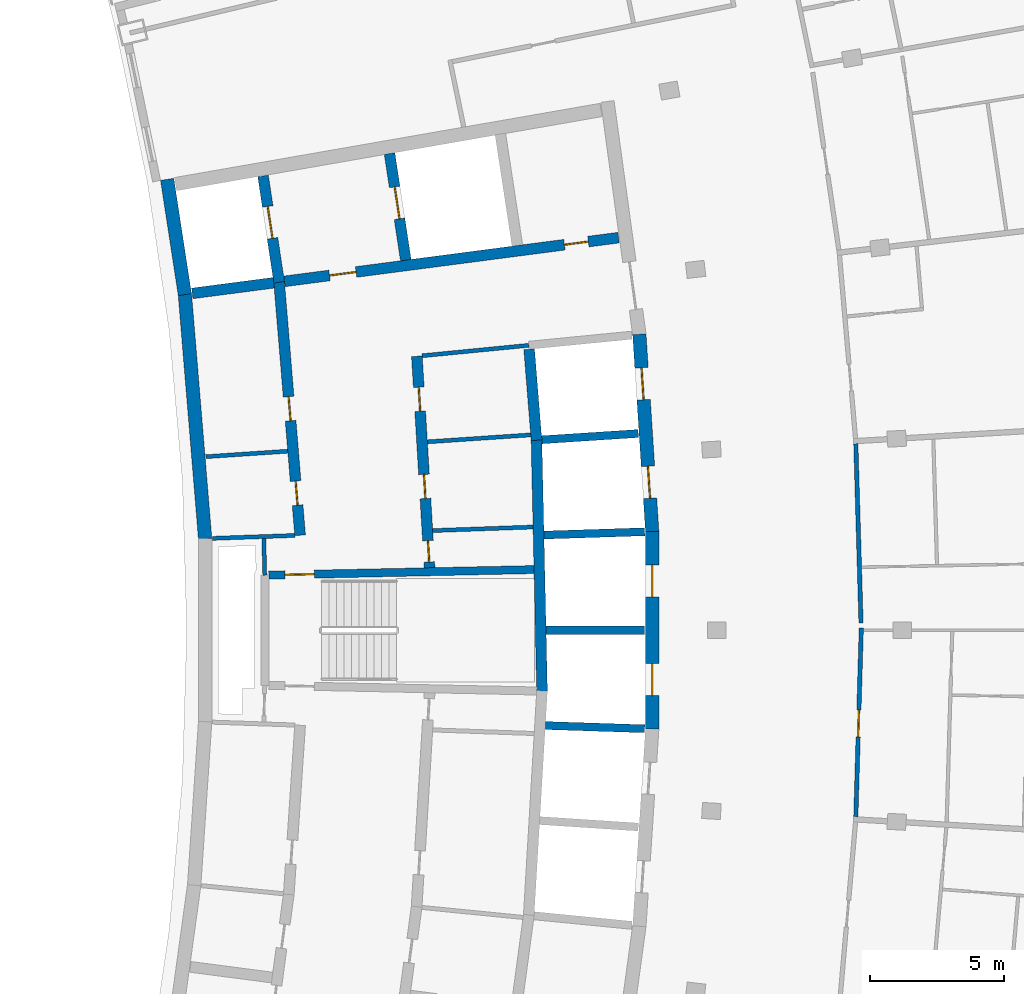
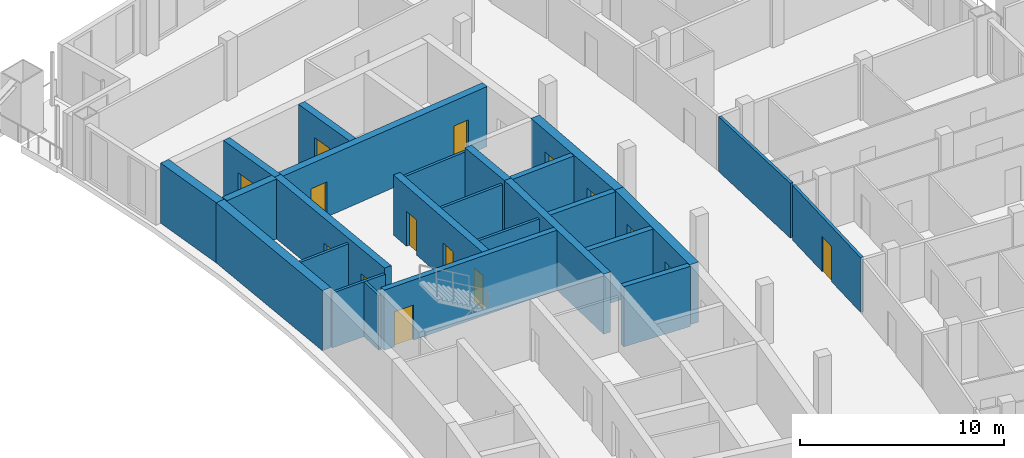
# One storey, part 10 of 17: 25 walls, 15 doors, 15 openings.
"""IFC4 building model written with IfcOpenShell, lengths in metres."""

from ifc_helpers import new_model, si_unit, direction, frame, frame_2d, origin, place, context, subcontext, project, spatial, rectangle, extrude, material, layer, layer_set, type_object, element, fill, save


model = new_model("IFC4")

# Units and contexts
model_context = context("Model", 3, precision=1e-05, world=origin(), true_north=direction((0.0, 1.0)))
body_context = subcontext(model_context, "Body", "Model", "MODEL_VIEW")
ifc_project = project(units=[si_unit("LENGTHUNIT", "METRE"), si_unit("AREAUNIT", "SQUARE_METRE"), si_unit("VOLUMEUNIT", "CUBIC_METRE"), si_unit("PLANEANGLEUNIT", "RADIAN"), si_unit("MASSUNIT", "GRAM", prefix="KILO")], contexts=[model_context])

# Site, building, storey
site_placement = place(None, origin())
site = spatial("IfcSite", under=ifc_project, at=site_placement, CompositionType="ELEMENT")
building_placement = place(site_placement, origin())
building = spatial("IfcBuilding", under=site, at=building_placement, Name="Alderwake Tower", CompositionType="ELEMENT")
storey_placement = place(building_placement, frame((0.0, 0.0, 260.0)))
storey = spatial("IfcBuildingStorey", under=building, at=storey_placement, Name="L64", CompositionType="ELEMENT", Elevation=260.0)

# Walls
ifc_material_1 = material(Name="Gypsum shaft wall system, rated")
ifc_layer_1 = layer(ifc_material_1, 0.14990234375)
ifc_layer_set_1 = layer_set([ifc_layer_1], Name="Core riser partition 150")
wall_type_1 = type_object("IfcWallType", Name="Core riser partition 150", PredefinedType="PARTITIONING", material=ifc_layer_set_1)
wall_1_placement = place(storey_placement, frame((25.191162109375, 64.723388671875, 0.0), z_axis=(0.0, 0.0, 1.0), x_axis=(0.999373256208, 0.035399078746, 0.0)))
element("IfcWall", 1, at=wall_1_placement, inside=storey, type_object=wall_type_1, Name="CW/L64/PR+37_+86", PredefinedType="PARTITIONING", context=body_context, shape_type="SweptSolid", body=[
    extrude(rectangle(XDim=3.751953125, YDim=0.14990234375, at=frame_2d((1.8759765625, 0.0))), origin(), (0.0, 0.0, 1.0), 3.280029296875),
])
ifc_material_2 = material(Name="Gypsum shaft wall system, rated")
ifc_layer_2 = layer(ifc_material_2, 0.14990234375)
ifc_layer_set_2 = layer_set([ifc_layer_2], Name="Core room partition 150")
wall_type_2 = type_object("IfcWallType", Name="Core room partition 150", PredefinedType="PARTITIONING", material=ifc_layer_set_2)
wall_2_placement = place(storey_placement, frame((18.918701171875, 63.05517578125, 0.0), z_axis=(0.0, 0.0, 1.0), x_axis=(-0.027791791559, 0.99961373356, 0.0)))
element("IfcWall", 2, at=wall_2_placement, inside=storey, type_object=wall_type_2, Name="CW/L64/PA+24_+22", PredefinedType="PARTITIONING", context=body_context, shape_type="SweptSolid", body=[
    extrude(rectangle(XDim=1.370361328125, YDim=0.14990234375, at=frame_2d((0.68505859375, 0.0))), origin(), (0.0, 0.0, 1.0), 3.280029296875),
])
wall_3_placement = place(storey_placement, frame((16.969482421875, 64.4326171875, 0.0), z_axis=(0.0, 0.0, 1.0), x_axis=(0.999376258731, 0.035314210814, 0.0)))
element("IfcWall", 3, at=wall_3_placement, inside=storey, type_object=wall_type_2, Name="CW/L64/PR+37_+0", PredefinedType="PARTITIONING", context=body_context, shape_type="SweptSolid", body=[
    extrude(rectangle(XDim=3.069580078125, YDim=0.14990234375, at=frame_2d((1.53466796875, 0.0))), origin(), (0.0, 0.0, 1.0), 3.280029296875),
])
wall_4_placement = place(storey_placement, frame((16.716552734375, 67.48388671875, 0.0), z_axis=(0.0, 0.0, 1.0), x_axis=(0.997761137574, 0.066878339895, 0.0)))
element("IfcWall", 4, at=wall_4_placement, inside=storey, type_object=wall_type_2, Name="CW/L64/PR+70_+0", PredefinedType="PARTITIONING", context=body_context, shape_type="SweptSolid", body=[
    extrude(rectangle(XDim=3.06640625, YDim=0.14990234375, at=frame_2d((1.533203125, 0.0))), origin(), (0.0, 0.0, 1.0), 3.280029296875),
])
wall_5_placement = place(storey_placement, frame((24.992431640625, 68.038818359375, 0.0), z_axis=(0.0, 0.0, 1.0), x_axis=(0.997760236964, 0.066891774789, 0.0)))
element("IfcWall", 5, at=wall_5_placement, inside=storey, type_object=wall_type_2, Name="CW/L64/PR+70_+86", PredefinedType="PARTITIONING", context=body_context, shape_type="SweptSolid", body=[
    extrude(rectangle(XDim=3.86865234375, YDim=0.14990234375, at=frame_2d((1.934326171875, 0.0))), origin(), (0.0, 0.0, 1.0), 3.280029296875),
])
wall_6_placement = place(storey_placement, frame((24.799560546875, 71.2548828125, 0.0), z_axis=(0.0, 0.0, 1.0), x_axis=(0.995250000627, 0.097352125046, 0.0)))
element("IfcWall", 6, at=wall_6_placement, inside=storey, type_object=wall_type_2, Name="CW/L64/PR+102_+86", PredefinedType="PARTITIONING", context=body_context, shape_type="SweptSolid", body=[
    extrude(rectangle(XDim=4.0, YDim=0.14990234375, at=frame_2d((2.0, 0.0))), origin(), (0.0, 0.0, 1.0), 3.280029296875),
])
ifc_material_3 = material(Name="Concrete C70/85", Category="concrete")
ifc_layer_3 = layer(ifc_material_3, 0.5)
ifc_layer_set_3 = layer_set([ifc_layer_3], Name="Core wall outer 500 C70-85")
wall_type_3 = type_object("IfcWallType", Name="Core wall outer 500 C70-85", PredefinedType="SHEAR", material=ifc_layer_set_3)
wall_7_placement = place(storey_placement, frame((16.690185546875, 64.41162109375, 0.0), z_axis=(0.0, 0.0, 1.0), x_axis=(-0.082611702064, 0.996581811334, 0.0)))
element("IfcWall", 7, at=wall_7_placement, inside=storey, type_object=wall_type_3, Name="Core wall CW.026", PredefinedType="SHEAR", context=body_context, shape_type="SweptSolid", body=[
    extrude(rectangle(XDim=9.176025390625, YDim=0.5, at=frame_2d((4.587890625, 0.0))), origin(), (0.0, 0.0, 1.0), 3.60009765625),
])
wall_8_placement = place(storey_placement, frame((15.934326171875, 73.5380859375, 0.0), z_axis=(0.0, 0.0, 1.0), x_axis=(-0.151947718368, 0.988388532351, 0.0)))
element("IfcWall", 8, at=wall_8_placement, inside=storey, type_object=wall_type_3, Name="Core wall CW.025", PredefinedType="SHEAR", context=body_context, shape_type="SweptSolid", body=[
    extrude(rectangle(XDim=4.357421875, YDim=0.5, at=frame_2d((2.1787109375, 0.0))), origin(), (0.0, 0.0, 1.0), 3.60009765625),
])

# Wall, openings, doors
wall_9_placement = place(storey_placement, frame((33.389892578125, 57.30322265625, 0.0), z_axis=(0.0, 0.0, 1.0), x_axis=(0.0, 1.0, 0.0)))
wall_9 = element("IfcWall", 9, at=wall_9_placement, inside=storey, type_object=wall_type_3, Name="Core wall CW.023", PredefinedType="SHEAR", context=body_context, shape_type="SweptSolid", body=[
    extrude(rectangle(XDim=7.3935546875, YDim=0.5, at=frame_2d((3.69677734375, 0.0))), origin(), (0.0, 0.0, 1.0), 3.60009765625),
])
opening_1_placement = place(wall_9_placement, frame((1.25244140625, 0.0, 0.0)))
opening_1 = element("IfcOpeningElement", 10, at=opening_1_placement, cuts=wall_9, Name="Opening LD-HP3", PredefinedType="OPENING", context=body_context, shape_type="SweptSolid", body=[
    extrude(rectangle(XDim=1.199951171875, YDim=2.300048828125, at=frame_2d((0.60009765625, 1.14990234375))), frame((0.0, 0.260009765625, 0.0), z_axis=(0.0, -1.0, 0.0), x_axis=(1.0, 0.0, 0.0)), (0.0, 0.0, 1.0), 0.52001953125),
])
opening_2_placement = place(wall_9_placement, frame((4.94091796875, 0.0, 0.0)))
opening_2 = element("IfcOpeningElement", 11, at=opening_2_placement, cuts=wall_9, Name="Opening LD-HP4", PredefinedType="OPENING", context=body_context, shape_type="SweptSolid", body=[
    extrude(rectangle(XDim=1.199951171875, YDim=2.300048828125, at=frame_2d((0.60009765625, 1.14990234375))), frame((0.0, 0.260009765625, 0.0), z_axis=(0.0, -1.0, 0.0), x_axis=(1.0, 0.0, 0.0)), (0.0, 0.0, 1.0), 0.52001953125),
])
ifc_material_4 = material(Name="Stainless steel sliding leaf", Category="steel")
door_type_1 = type_object("IfcDoorType", Name="Lift landing door 1200", OperationType="SLIDING_TO_LEFT", PredefinedType="DOOR", material=ifc_material_4)
door_1_placement = place(opening_1_placement, origin())
door_1 = element("IfcDoor", 12, at=door_1_placement, inside=storey, type_object=door_type_1, Name="Lift landing door HP3", OperationType="SLIDING_TO_LEFT", OverallHeight=2.300048828125, OverallWidth=1.199951171875, PredefinedType="DOOR", context=body_context, shape_type="SweptSolid", body=[
    extrude(rectangle(XDim=1.199951171875, YDim=2.300048828125, at=frame_2d((0.60009765625, 1.14990234375))), frame((0.0, 0.02490234375, 0.0), z_axis=(0.0, -1.0, 0.0), x_axis=(1.0, 0.0, 0.0)), (0.0, 0.0, 1.0), 0.050048828125),
])
fill(opening_1, door_1)
door_2_placement = place(opening_2_placement, origin())
door_2 = element("IfcDoor", 13, at=door_2_placement, inside=storey, type_object=door_type_1, Name="Lift landing door HP4", OperationType="SLIDING_TO_LEFT", OverallHeight=2.300048828125, OverallWidth=1.199951171875, PredefinedType="DOOR", context=body_context, shape_type="SweptSolid", body=[
    extrude(rectangle(XDim=1.199951171875, YDim=2.300048828125, at=frame_2d((0.60009765625, 1.14990234375))), frame((0.0, 0.02490234375, 0.0), z_axis=(0.0, -1.0, 0.0), x_axis=(1.0, 0.0, 0.0)), (0.0, 0.0, 1.0), 0.050048828125),
])
fill(opening_2, door_2)

wall_10_placement = place(storey_placement, frame((33.390625, 64.679443359375, 0.0), z_axis=(0.0, 0.0, 1.0), x_axis=(-0.064980500916, 0.997886533881, 0.0)))
wall_10 = element("IfcWall", 14, at=wall_10_placement, inside=storey, type_object=wall_type_3, Name="Core wall CW.020", PredefinedType="SHEAR", context=body_context, shape_type="SweptSolid", body=[
    extrude(rectangle(XDim=7.39404296875, YDim=0.5, at=frame_2d((3.697021484375, 0.0))), origin(), (0.0, 0.0, 1.0), 3.60009765625),
])
opening_3_placement = place(wall_10_placement, frame((1.25244140625, 0.0, 0.0)))
opening_3 = element("IfcOpeningElement", 15, at=opening_3_placement, cuts=wall_10, Name="Opening LD-HP5", PredefinedType="OPENING", context=body_context, shape_type="SweptSolid", body=[
    extrude(rectangle(XDim=1.199951171875, YDim=2.300048828125, at=frame_2d((0.60009765625, 1.14990234375))), frame((0.0, 0.260009765625, 0.0), z_axis=(0.0, -1.0, 0.0), x_axis=(1.0, 0.0, 0.0)), (0.0, 0.0, 1.0), 0.52001953125),
])
opening_4_placement = place(wall_10_placement, frame((4.94091796875, 0.0, 0.0)))
opening_4 = element("IfcOpeningElement", 16, at=opening_4_placement, cuts=wall_10, Name="Opening LD-HP6", PredefinedType="OPENING", context=body_context, shape_type="SweptSolid", body=[
    extrude(rectangle(XDim=1.199951171875, YDim=2.300048828125, at=frame_2d((0.60009765625, 1.14990234375))), frame((0.0, 0.260009765625, 0.0), z_axis=(0.0, -1.0, 0.0), x_axis=(1.0, 0.0, 0.0)), (0.0, 0.0, 1.0), 0.52001953125),
])
door_3_placement = place(opening_3_placement, origin())
door_3 = element("IfcDoor", 17, at=door_3_placement, inside=storey, type_object=door_type_1, Name="Lift landing door HP5", OperationType="SLIDING_TO_LEFT", OverallHeight=2.300048828125, OverallWidth=1.199951171875, PredefinedType="DOOR", context=body_context, shape_type="SweptSolid", body=[
    extrude(rectangle(XDim=1.199951171875, YDim=2.300048828125, at=frame_2d((0.60009765625, 1.14990234375))), frame((0.0, 0.02490234375, 0.0), z_axis=(0.0, -1.0, 0.0), x_axis=(1.0, 0.0, 0.0)), (0.0, 0.0, 1.0), 0.050048828125),
])
fill(opening_3, door_3)
door_4_placement = place(opening_4_placement, origin())
door_4 = element("IfcDoor", 18, at=door_4_placement, inside=storey, type_object=door_type_1, Name="Lift landing door HP6", OperationType="SLIDING_TO_LEFT", OverallHeight=2.300048828125, OverallWidth=1.199951171875, PredefinedType="DOOR", context=body_context, shape_type="SweptSolid", body=[
    extrude(rectangle(XDim=1.199951171875, YDim=2.300048828125, at=frame_2d((0.60009765625, 1.14990234375))), frame((0.0, 0.02490234375, 0.0), z_axis=(0.0, -1.0, 0.0), x_axis=(1.0, 0.0, 0.0)), (0.0, 0.0, 1.0), 0.050048828125),
])
fill(opening_4, door_4)

# Walls
ifc_material_5 = material(Name="Concrete C70/85", Category="concrete")
ifc_layer_4 = layer(ifc_material_5, 0.300048828125)
ifc_layer_set_4 = layer_set([ifc_layer_4], Name="Core wall shaft 300 C70-85")
wall_type_4 = type_object("IfcWallType", Name="Core wall shaft 300 C70-85", PredefinedType="SHEAR", material=ifc_layer_set_4)
wall_11_placement = place(storey_placement, frame((29.400634765625, 57.441650390625, 0.0), z_axis=(0.0, 0.0, 1.0), x_axis=(0.999471876479, -0.032495663221, 0.0)))
element("IfcWall", 19, at=wall_11_placement, inside=storey, type_object=wall_type_4, Name="Core wall CW.075", PredefinedType="SHEAR", context=body_context, shape_type="SweptSolid", body=[
    extrude(rectangle(XDim=3.71142578125, YDim=0.300048828125, at=frame_2d((1.855712890625, 0.0))), origin(), (0.0, 0.0, 1.0), 3.60009765625),
])
wall_12_placement = place(storey_placement, frame((29.426025390625, 61.0, 0.0), z_axis=(0.0, 0.0, 1.0), x_axis=(1.0, 0.0, 0.0)))
element("IfcWall", 20, at=wall_12_placement, inside=storey, type_object=wall_type_4, Name="Core wall CW.048", PredefinedType="SHEAR", context=body_context, shape_type="SweptSolid", body=[
    extrude(rectangle(XDim=3.68408203125, YDim=0.300048828125, at=frame_2d((1.842041015625, 0.0))), origin(), (0.0, 0.0, 1.0), 3.60009765625),
])
wall_13_placement = place(storey_placement, frame((29.347412109375, 64.556396484375, 0.0), z_axis=(0.0, 0.0, 1.0), x_axis=(0.99946995342, 0.032554757112, 0.0)))
element("IfcWall", 21, at=wall_13_placement, inside=storey, type_object=wall_type_4, Name="Core wall CW.058", PredefinedType="SHEAR", context=body_context, shape_type="SweptSolid", body=[
    extrude(rectangle(XDim=3.7646484375, YDim=0.300048828125, at=frame_2d((1.88232421875, 0.0))), origin(), (0.0, 0.0, 1.0), 3.60009765625),
])
wall_14_placement = place(storey_placement, frame((29.268798828125, 68.115478515625, 0.0), z_axis=(0.0, 0.0, 1.0), x_axis=(0.997885735437, 0.064992761217, 0.0)))
element("IfcWall", 22, at=wall_14_placement, inside=storey, type_object=wall_type_4, Name="Core wall CW.061", PredefinedType="SHEAR", context=body_context, shape_type="SweptSolid", body=[
    extrude(rectangle(XDim=3.60986328125, YDim=0.300048828125, at=frame_2d((1.804931640625, 0.0))), origin(), (0.0, 0.0, 1.0), 3.60009765625),
])

# Wall, openings, doors
ifc_material_6 = material(Name="Concrete C70/85", Category="concrete")
ifc_layer_5 = layer(ifc_material_6, 0.39990234375)
ifc_layer_set_5 = layer_set([ifc_layer_5], Name="Core wall spine 400 C70-85")
wall_type_5 = type_object("IfcWallType", Name="Core wall spine 400 C70-85", PredefinedType="SHEAR", material=ifc_layer_set_5)
wall_15_placement = place(storey_placement, frame((19.452392578125, 74.014892578125, 0.0), z_axis=(0.0, 0.0, 1.0), x_axis=(0.082628585297, -0.996580411654, 0.0)))
wall_15 = element("IfcWall", 23, at=wall_15_placement, inside=storey, type_object=wall_type_5, Name="Core wall CW.031", PredefinedType="SHEAR", context=body_context, shape_type="SweptSolid", body=[
    extrude(rectangle(XDim=9.499267578125, YDim=0.39990234375, at=frame_2d((4.74951171875, 0.0))), origin(), (0.0, 0.0, 1.0), 3.60009765625),
])
opening_5_placement = place(wall_15_placement, frame((7.468017578125, 0.0, 0.0)))
opening_5 = element("IfcOpeningElement", 24, at=opening_5_placement, cuts=wall_15, Name="Opening C053", PredefinedType="OPENING", context=body_context, shape_type="SweptSolid", body=[
    extrude(rectangle(XDim=0.89990234375, YDim=2.10009765625, at=frame_2d((0.449951171875, 1.050048828125))), frame((0.0, 0.2099609375, 0.0), z_axis=(0.0, -1.0, 0.0), x_axis=(1.0, 0.0, 0.0)), (0.0, 0.0, 1.0), 0.419921875),
])
opening_6_placement = place(wall_15_placement, frame((4.30322265625, 0.0, 0.0)))
opening_6 = element("IfcOpeningElement", 25, at=opening_6_placement, cuts=wall_15, Name="Opening C054", PredefinedType="OPENING", context=body_context, shape_type="SweptSolid", body=[
    extrude(rectangle(XDim=0.89990234375, YDim=2.10009765625, at=frame_2d((0.449951171875, 1.050048828125))), frame((0.0, 0.2099609375, 0.0), z_axis=(0.0, -1.0, 0.0), x_axis=(1.0, 0.0, 0.0)), (0.0, 0.0, 1.0), 0.419921875),
])
ifc_material_7 = material(Name="Painted steel leaf", Category="steel")
door_type_2 = type_object("IfcDoorType", Name="Core room door 900", OperationType="SINGLE_SWING_LEFT", PredefinedType="DOOR", material=ifc_material_7)
door_5_placement = place(opening_5_placement, origin())
door_5 = element("IfcDoor", 26, at=door_5_placement, inside=storey, type_object=door_type_2, Name="Room door", OperationType="SINGLE_SWING_LEFT", OverallHeight=2.10009765625, OverallWidth=0.89990234375, PredefinedType="DOOR", context=body_context, shape_type="SweptSolid", body=[
    extrude(rectangle(XDim=0.89990234375, YDim=2.10009765625, at=frame_2d((0.449951171875, 1.050048828125))), frame((0.0, 0.02490234375, 0.0), z_axis=(0.0, -1.0, 0.0), x_axis=(1.0, 0.0, 0.0)), (0.0, 0.0, 1.0), 0.050048828125),
])
fill(opening_5, door_5)
door_6_placement = place(opening_6_placement, origin())
door_6 = element("IfcDoor", 27, at=door_6_placement, inside=storey, type_object=door_type_2, Name="Room door", OperationType="SINGLE_SWING_RIGHT", OverallHeight=2.10009765625, OverallWidth=0.89990234375, PredefinedType="DOOR", context=body_context, shape_type="SweptSolid", body=[
    extrude(rectangle(XDim=0.89990234375, YDim=2.10009765625, at=frame_2d((0.449951171875, 1.050048828125))), frame((0.0, 0.02490234375, 0.0), z_axis=(0.0, -1.0, 0.0), x_axis=(1.0, 0.0, 0.0)), (0.0, 0.0, 1.0), 0.050048828125),
])
fill(opening_6, door_6)

# Wall, opening, door
wall_16_placement = place(storey_placement, frame((19.4541015625, 74.00048828125, 0.0), z_axis=(0.0, 0.0, 1.0), x_axis=(-0.149461330246, 0.988767571657, 0.0)))
wall_16 = element("IfcWall", 28, at=wall_16_placement, inside=storey, type_object=wall_type_5, Name="Core wall CW.030", PredefinedType="SHEAR", context=body_context, shape_type="SweptSolid", body=[
    extrude(rectangle(XDim=4.01513671875, YDim=0.39990234375, at=frame_2d((2.007568359375, 0.0))), origin(), (0.0, 0.0, 1.0), 3.60009765625),
])
opening_7_placement = place(wall_16_placement, frame((1.6611328125, 0.0, 0.0)))
opening_7 = element("IfcOpeningElement", 29, at=opening_7_placement, cuts=wall_16, Name="Opening LD-FF1", PredefinedType="OPENING", context=body_context, shape_type="SweptSolid", body=[
    extrude(rectangle(XDim=1.199951171875, YDim=2.300048828125, at=frame_2d((0.60009765625, 1.14990234375))), frame((0.0, 0.2099609375, 0.0), z_axis=(0.0, -1.0, 0.0), x_axis=(1.0, 0.0, 0.0)), (0.0, 0.0, 1.0), 0.419921875),
])
door_7_placement = place(opening_7_placement, origin())
door_7 = element("IfcDoor", 30, at=door_7_placement, inside=storey, type_object=door_type_1, Name="Lift landing door FF1", OperationType="SLIDING_TO_LEFT", OverallHeight=2.300048828125, OverallWidth=1.199951171875, PredefinedType="DOOR", context=body_context, shape_type="SweptSolid", body=[
    extrude(rectangle(XDim=1.199951171875, YDim=2.300048828125, at=frame_2d((0.60009765625, 1.14990234375))), frame((0.0, 0.02490234375, 0.0), z_axis=(0.0, -1.0, 0.0), x_axis=(1.0, 0.0, 0.0)), (0.0, 0.0, 1.0), 0.050048828125),
])
fill(opening_7, door_7)

# Wall, openings, doors
wall_17_placement = place(storey_placement, frame((25.073974609375, 63.335693359375, 0.0), z_axis=(0.0, 0.0, 1.0), x_axis=(-0.059848641072, 0.998207463487, 0.0)))
wall_17 = element("IfcWall", 31, at=wall_17_placement, inside=storey, type_object=wall_type_5, Name="Core wall CW.045", PredefinedType="SHEAR", context=body_context, shape_type="SweptSolid", body=[
    extrude(rectangle(XDim=7.913818359375, YDim=0.39990234375, at=frame_2d((3.95703125, 0.0))), origin(), (0.0, 0.0, 1.0), 3.60009765625),
])
opening_8_placement = place(wall_17_placement, frame((0.216064453125, 0.0, 0.0)))
opening_8 = element("IfcOpeningElement", 32, at=opening_8_placement, cuts=wall_17, Name="Opening C005", PredefinedType="OPENING", context=body_context, shape_type="SweptSolid", body=[
    extrude(rectangle(XDim=0.800048828125, YDim=2.0, at=frame_2d((0.39990234375, 1.0))), frame((0.0, 0.2099609375, 0.0), z_axis=(0.0, -1.0, 0.0), x_axis=(1.0, 0.0, 0.0)), (0.0, 0.0, 1.0), 0.419921875),
])
opening_9_placement = place(wall_17_placement, frame((5.856201171875, 0.0, 0.0)))
opening_9 = element("IfcOpeningElement", 33, at=opening_9_placement, cuts=wall_17, Name="Opening C023", PredefinedType="OPENING", context=body_context, shape_type="SweptSolid", body=[
    extrude(rectangle(XDim=0.89990234375, YDim=2.10009765625, at=frame_2d((0.449951171875, 1.050048828125))), frame((0.0, 0.2099609375, 0.0), z_axis=(0.0, -1.0, 0.0), x_axis=(1.0, 0.0, 0.0)), (0.0, 0.0, 1.0), 0.419921875),
])
opening_10_placement = place(wall_17_placement, frame((2.590087890625, 0.0, 0.0)))
opening_10 = element("IfcOpeningElement", 34, at=opening_10_placement, cuts=wall_17, Name="Opening C059", PredefinedType="OPENING", context=body_context, shape_type="SweptSolid", body=[
    extrude(rectangle(XDim=0.89990234375, YDim=2.10009765625, at=frame_2d((0.449951171875, 1.050048828125))), frame((0.0, 0.2099609375, 0.0), z_axis=(0.0, -1.0, 0.0), x_axis=(1.0, 0.0, 0.0)), (0.0, 0.0, 1.0), 0.419921875),
])
door_8_placement = place(opening_9_placement, origin())
door_8 = element("IfcDoor", 35, at=door_8_placement, inside=storey, type_object=door_type_2, Name="Room door", OperationType="SINGLE_SWING_RIGHT", OverallHeight=2.10009765625, OverallWidth=0.89990234375, PredefinedType="DOOR", context=body_context, shape_type="SweptSolid", body=[
    extrude(rectangle(XDim=0.89990234375, YDim=2.10009765625, at=frame_2d((0.449951171875, 1.050048828125))), frame((0.0, 0.02490234375, 0.0), z_axis=(0.0, -1.0, 0.0), x_axis=(1.0, 0.0, 0.0)), (0.0, 0.0, 1.0), 0.050048828125),
])
fill(opening_9, door_8)
door_9_placement = place(opening_10_placement, origin())
door_9 = element("IfcDoor", 36, at=door_9_placement, inside=storey, type_object=door_type_2, Name="Room door", OperationType="SINGLE_SWING_LEFT", OverallHeight=2.10009765625, OverallWidth=0.89990234375, PredefinedType="DOOR", context=body_context, shape_type="SweptSolid", body=[
    extrude(rectangle(XDim=0.89990234375, YDim=2.10009765625, at=frame_2d((0.449951171875, 1.050048828125))), frame((0.0, 0.02490234375, 0.0), z_axis=(0.0, -1.0, 0.0), x_axis=(1.0, 0.0, 0.0)), (0.0, 0.0, 1.0), 0.050048828125),
])
fill(opening_10, door_9)
ifc_material_8 = material(Name="Painted steel leaf, rated", Category="steel")
door_type_3 = type_object("IfcDoorType", Name="Riser access door 800", OperationType="SINGLE_SWING_LEFT", PredefinedType="DOOR", material=ifc_material_8)
door_10_placement = place(opening_8_placement, origin())
door_10 = element("IfcDoor", 37, at=door_10_placement, inside=storey, type_object=door_type_3, Name="Riser access door", OperationType="SINGLE_SWING_LEFT", OverallHeight=2.0, OverallWidth=0.800048828125, PredefinedType="DOOR", context=body_context, shape_type="SweptSolid", body=[
    extrude(rectangle(XDim=0.800048828125, YDim=2.0, at=frame_2d((0.39990234375, 1.0))), frame((0.0, 0.02490234375, 0.0), z_axis=(0.0, -1.0, 0.0), x_axis=(1.0, 0.0, 0.0)), (0.0, 0.0, 1.0), 0.050048828125),
])
fill(opening_8, door_10)

# Wall, opening, door
wall_18_placement = place(storey_placement, frame((24.186279296875, 74.82861328125, 0.0), z_axis=(0.0, 0.0, 1.0), x_axis=(-0.150547717109, 0.988602743711, 0.0)))
wall_18 = element("IfcWall", 38, at=wall_18_placement, inside=storey, type_object=wall_type_5, Name="Core wall CW.044", PredefinedType="SHEAR", context=body_context, shape_type="SweptSolid", body=[
    extrude(rectangle(XDim=4.0234375, YDim=0.39990234375, at=frame_2d((2.01171875, 0.0))), origin(), (0.0, 0.0, 1.0), 3.60009765625),
])
opening_11_placement = place(wall_18_placement, frame((1.561767578125, 0.0, 0.0)))
opening_11 = element("IfcOpeningElement", 39, at=opening_11_placement, cuts=wall_18, Name="Opening LD-FF2", PredefinedType="OPENING", context=body_context, shape_type="SweptSolid", body=[
    extrude(rectangle(XDim=1.199951171875, YDim=2.300048828125, at=frame_2d((0.60009765625, 1.14990234375))), frame((0.0, 0.2099609375, 0.0), z_axis=(0.0, -1.0, 0.0), x_axis=(1.0, 0.0, 0.0)), (0.0, 0.0, 1.0), 0.419921875),
])
door_11_placement = place(opening_11_placement, origin())
door_11 = element("IfcDoor", 40, at=door_11_placement, inside=storey, type_object=door_type_1, Name="Lift landing door FF2", OperationType="SLIDING_TO_LEFT", OverallHeight=2.300048828125, OverallWidth=1.199951171875, PredefinedType="DOOR", context=body_context, shape_type="SweptSolid", body=[
    extrude(rectangle(XDim=1.199951171875, YDim=2.300048828125, at=frame_2d((0.60009765625, 1.14990234375))), frame((0.0, 0.02490234375, 0.0), z_axis=(0.0, -1.0, 0.0), x_axis=(1.0, 0.0, 0.0)), (0.0, 0.0, 1.0), 0.050048828125),
])
fill(opening_11, door_11)

# Walls
wall_19_placement = place(storey_placement, frame((29.276611328125, 58.71826171875, 0.0), z_axis=(0.0, 0.0, 1.0), x_axis=(-0.022119171053, 0.999755341207, 0.0)))
element("IfcWall", 41, at=wall_19_placement, inside=storey, type_object=wall_type_5, Name="Core wall CW.007", PredefinedType="SHEAR", context=body_context, shape_type="SweptSolid", body=[
    extrude(rectangle(XDim=9.392822265625, YDim=0.39990234375, at=frame_2d((4.6962890625, 0.0))), origin(), (0.0, 0.0, 1.0), 3.60009765625),
])
wall_20_placement = place(storey_placement, frame((29.069580078125, 68.09619140625, 0.0), z_axis=(0.0, 0.0, 1.0), x_axis=(-0.080544811251, 0.996750988653, 0.0)))
element("IfcWall", 42, at=wall_20_placement, inside=storey, type_object=wall_type_5, Name="Core wall CW.003", PredefinedType="SHEAR", context=body_context, shape_type="SweptSolid", body=[
    extrude(rectangle(XDim=3.409912109375, YDim=0.39990234375, at=frame_2d((1.705078125, 0.0))), origin(), (0.0, 0.0, 1.0), 3.60009765625),
])
wall_21_placement = place(storey_placement, frame((16.210693359375, 73.583740234375, 0.0), z_axis=(0.0, 0.0, 1.0), x_axis=(0.991560893257, 0.129641794819, 0.0)))
element("IfcWall", 43, at=wall_21_placement, inside=storey, type_object=wall_type_5, Name="Core wall CW.051", PredefinedType="SHEAR", context=body_context, shape_type="SweptSolid", body=[
    extrude(rectangle(XDim=3.069580078125, YDim=0.39990234375, at=frame_2d((1.53466796875, 0.0))), origin(), (0.0, 0.0, 1.0), 3.60009765625),
])

# Wall, openings, doors
wall_22_placement = place(storey_placement, frame((32.132080078125, 75.666015625, 0.0), z_axis=(0.0, 0.0, 1.0), x_axis=(-0.991555139901, -0.129685791576, 0.0)))
wall_22 = element("IfcWall", 44, at=wall_22_placement, inside=storey, type_object=wall_type_5, Name="Core wall CW.052", PredefinedType="SHEAR", context=body_context, shape_type="SweptSolid", body=[
    extrude(rectangle(XDim=12.586669921875, YDim=0.39990234375, at=frame_2d((6.29345703125, 0.0))), origin(), (0.0, 0.0, 1.0), 3.60009765625),
])
opening_12_placement = place(wall_22_placement, frame((9.88720703125, 0.0, 0.0)))
opening_12 = element("IfcOpeningElement", 45, at=opening_12_placement, cuts=wall_22, Name="Opening C002", PredefinedType="OPENING", context=body_context, shape_type="SweptSolid", body=[
    extrude(rectangle(XDim=1.0, YDim=2.10009765625, at=frame_2d((0.5, 1.050048828125))), frame((0.0, 0.2099609375, 0.0), z_axis=(0.0, -1.0, 0.0), x_axis=(1.0, 0.0, 0.0)), (0.0, 0.0, 1.0), 0.419921875),
])
opening_13_placement = place(wall_22_placement, frame((1.13720703125, 0.0, 0.0)))
opening_13 = element("IfcOpeningElement", 46, at=opening_13_placement, cuts=wall_22, Name="Opening C020", PredefinedType="OPENING", context=body_context, shape_type="SweptSolid", body=[
    extrude(rectangle(XDim=0.89990234375, YDim=2.10009765625, at=frame_2d((0.449951171875, 1.050048828125))), frame((0.0, 0.2099609375, 0.0), z_axis=(0.0, -1.0, 0.0), x_axis=(1.0, 0.0, 0.0)), (0.0, 0.0, 1.0), 0.419921875),
])
door_12_placement = place(opening_13_placement, origin())
door_12 = element("IfcDoor", 47, at=door_12_placement, inside=storey, type_object=door_type_2, Name="Room door", OperationType="SINGLE_SWING_LEFT", OverallHeight=2.10009765625, OverallWidth=0.89990234375, PredefinedType="DOOR", context=body_context, shape_type="SweptSolid", body=[
    extrude(rectangle(XDim=0.89990234375, YDim=2.10009765625, at=frame_2d((0.449951171875, 1.050048828125))), frame((0.0, 0.02490234375, 0.0), z_axis=(0.0, -1.0, 0.0), x_axis=(1.0, 0.0, 0.0)), (0.0, 0.0, 1.0), 0.050048828125),
])
fill(opening_13, door_12)
ifc_material_9 = material(Name="Steel-framed fire door leaf", Category="steel")
door_type_4 = type_object("IfcDoorType", Name="Firefighting lobby door 1000 fire-rated", OperationType="SINGLE_SWING_LEFT", PredefinedType="DOOR", material=ifc_material_9)
door_13_placement = place(opening_12_placement, origin())
door_13 = element("IfcDoor", 48, at=door_13_placement, inside=storey, type_object=door_type_4, Name="Firefighting lobby door", OperationType="SINGLE_SWING_RIGHT", OverallHeight=2.10009765625, OverallWidth=1.0, PredefinedType="DOOR", context=body_context, shape_type="SweptSolid", body=[
    extrude(rectangle(XDim=1.0, YDim=2.10009765625, at=frame_2d((0.5, 1.050048828125))), frame((0.0, 0.02490234375, 0.0), z_axis=(0.0, -1.0, 0.0), x_axis=(1.0, 0.0, 0.0)), (0.0, 0.0, 1.0), 0.050048828125),
])
fill(opening_12, door_13)

# Wall, opening, door
ifc_material_10 = material(Name="Concrete C70/85", Category="concrete")
ifc_layer_6 = layer(ifc_material_10, 0.300048828125)
ifc_layer_set_6 = layer_set([ifc_layer_6], Name="Core wall stair enclosure 300 C70-85")
wall_type_6 = type_object("IfcWallType", Name="Core wall stair enclosure 300 C70-85", PredefinedType="SHEAR", material=ifc_layer_set_6)
wall_23_placement = place(storey_placement, frame((19.068603515625, 63.060791015625, 0.0), z_axis=(0.0, 0.0, 1.0), x_axis=(0.999783782948, 0.020793925895, 0.0)))
wall_23 = element("IfcWall", 49, at=wall_23_placement, inside=storey, type_object=wall_type_6, Name="Core wall CW.057", PredefinedType="SHEAR", context=body_context, shape_type="SweptSolid", body=[
    extrude(rectangle(XDim=9.909423828125, YDim=0.300048828125, at=frame_2d((4.95458984375, 0.0))), origin(), (0.0, 0.0, 1.0), 3.60009765625),
])
opening_14_placement = place(wall_23_placement, frame((0.60009765625, 0.0, 0.0)))
opening_14 = element("IfcOpeningElement", 50, at=opening_14_placement, cuts=wall_23, Name="Opening C064", PredefinedType="OPENING", context=body_context, shape_type="SweptSolid", body=[
    extrude(rectangle(XDim=1.10009765625, YDim=2.10009765625, at=frame_2d((0.550048828125, 1.050048828125))), frame((0.0, 0.159912109375, 0.0), z_axis=(0.0, -1.0, 0.0), x_axis=(1.0, 0.0, 0.0)), (0.0, 0.0, 1.0), 0.320068359375),
])
ifc_material_11 = material(Name="Steel-framed fire door leaf", Category="steel")
door_type_5 = type_object("IfcDoorType", Name="Core stair door 1100 fire-rated", OperationType="SINGLE_SWING_LEFT", PredefinedType="DOOR", material=ifc_material_11)
door_14_placement = place(opening_14_placement, origin())
door_14 = element("IfcDoor", 51, at=door_14_placement, inside=storey, type_object=door_type_5, Name="Stair door", OperationType="SINGLE_SWING_LEFT", OverallHeight=2.10009765625, OverallWidth=1.10009765625, PredefinedType="DOOR", context=body_context, shape_type="SweptSolid", body=[
    extrude(rectangle(XDim=1.10009765625, YDim=2.10009765625, at=frame_2d((0.550048828125, 1.050048828125))), frame((0.0, 0.02490234375, 0.0), z_axis=(0.0, -1.0, 0.0), x_axis=(1.0, 0.0, 0.0)), (0.0, 0.0, 1.0), 0.050048828125),
])
fill(opening_14, door_14)

ifc_material_12 = material(Name="Gypsum board on metal studs, rated")
ifc_layer_7 = layer(ifc_material_12, 0.159912109375)
ifc_layer_set_7 = layer_set([ifc_layer_7], Name="Corridor wall 160")
wall_type_7 = type_object("IfcWallType", Name="Corridor wall 160", PredefinedType="PARTITIONING", material=ifc_layer_set_7)
wall_24_placement = place(storey_placement, frame((41.201416015625, 61.0791015625, 0.0), z_axis=(0.0, 0.0, 1.0), x_axis=(-0.028889070526, -0.999582623701, 0.0)))
wall_24 = element("IfcWall", 52, at=wall_24_placement, inside=storey, type_object=wall_type_7, Name="WL/L64/W24", PredefinedType="PARTITIONING", context=body_context, shape_type="SweptSolid", body=[
    extrude(rectangle(XDim=7.048095703125, YDim=0.159912109375, at=frame_2d((3.52392578125, 0.0))), origin(), (0.0, 0.0, 1.0), 3.280029296875),
])
opening_15_placement = place(wall_24_placement, frame((3.0634765625, 0.0, 0.0)))
opening_15 = element("IfcOpeningElement", 53, at=opening_15_placement, cuts=wall_24, Name="Opening R18-U05.1", PredefinedType="OPENING", context=body_context, shape_type="SweptSolid", body=[
    extrude(rectangle(XDim=1.0, YDim=2.10009765625, at=frame_2d((0.5, 1.050048828125))), frame((0.0, 0.08984375, 0.0), z_axis=(0.0, -1.0, 0.0), x_axis=(1.0, 0.0, 0.0)), (0.0, 0.0, 1.0), 0.179931640625),
])
ifc_material_13 = material(Name="Solid timber leaf in steel frame", Category="steel")
door_type_6 = type_object("IfcDoorType", Name="Flat entrance door 1000 fire-rated", OperationType="SINGLE_SWING_LEFT", PredefinedType="DOOR", material=ifc_material_13)
door_15_placement = place(opening_15_placement, origin())
door_15 = element("IfcDoor", 54, at=door_15_placement, inside=storey, type_object=door_type_6, Name="DR/L64/U05.1", OperationType="SINGLE_SWING_LEFT", OverallHeight=2.10009765625, OverallWidth=1.0, PredefinedType="DOOR", context=body_context, shape_type="SweptSolid", body=[
    extrude(rectangle(XDim=1.0, YDim=2.10009765625, at=frame_2d((0.5, 1.050048828125))), frame((0.0, 0.02490234375, 0.0), z_axis=(0.0, -1.0, 0.0), x_axis=(1.0, 0.0, 0.0)), (0.0, 0.0, 1.0), 0.050048828125),
])
fill(opening_15, door_15)

# Wall
wall_25_placement = place(storey_placement, frame((40.997802734375, 67.967041015625, 0.0), z_axis=(0.0, 0.0, 1.0), x_axis=(0.0288778927, -0.99958294669, 0.0)))
element("IfcWall", 55, at=wall_25_placement, inside=storey, type_object=wall_type_7, Name="WL/L64/W26", PredefinedType="PARTITIONING", context=body_context, shape_type="SweptSolid", body=[
    extrude(rectangle(XDim=6.7041015625, YDim=0.159912109375, at=frame_2d((3.35205078125, 0.0))), origin(), (0.0, 0.0, 1.0), 3.280029296875),
])

save(model, "model.ifc")
